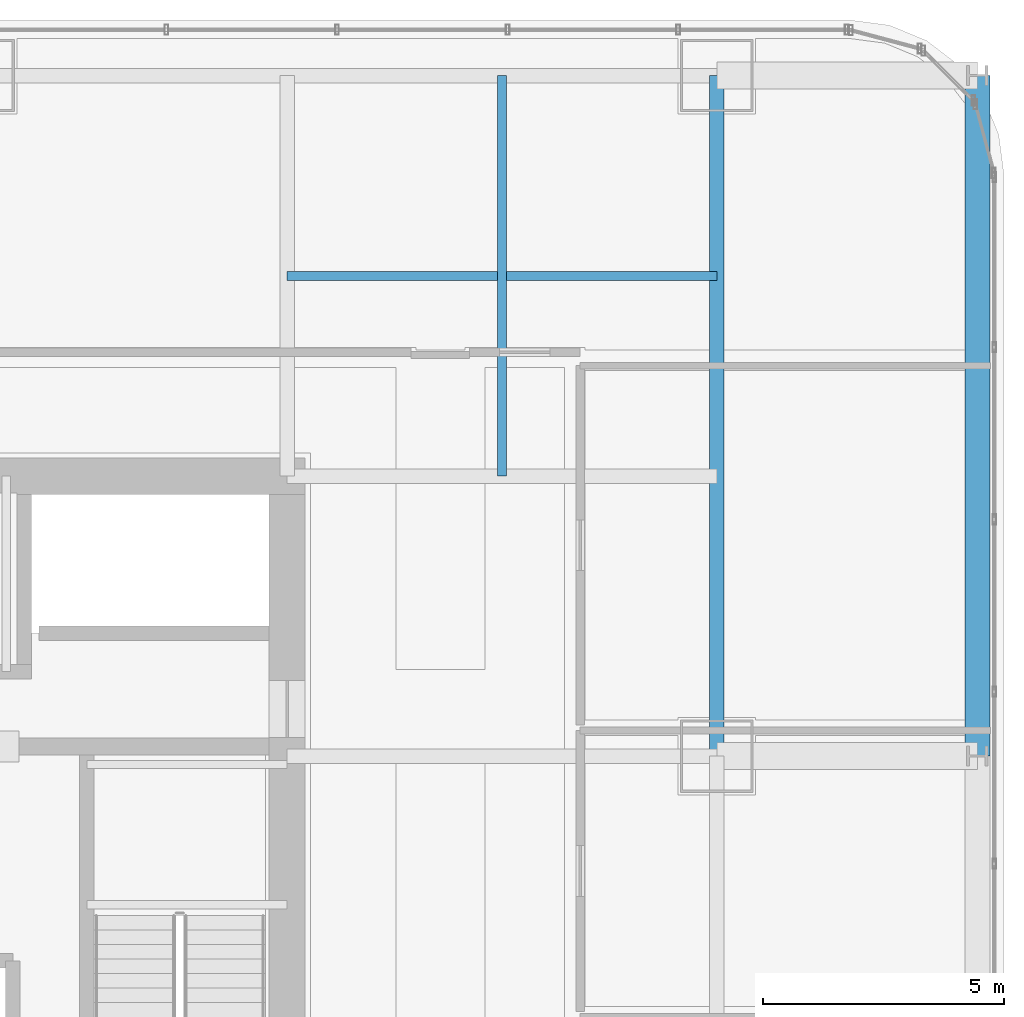
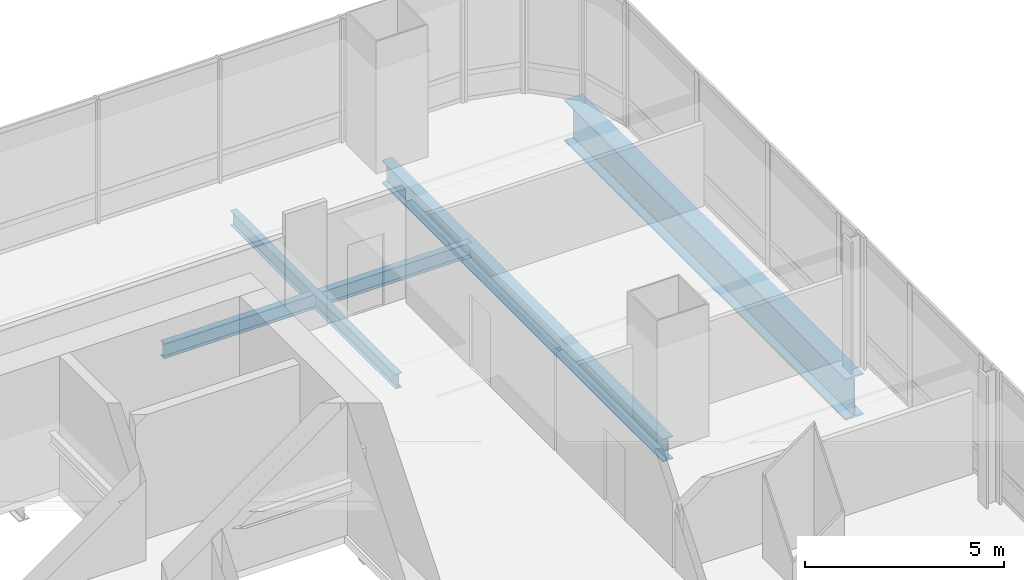
# One storey, part 23 of 34: 4 beams.
"""IFC4 building model written with IfcOpenShell, lengths in metres."""

from ifc_helpers import new_model, si_unit, direction, frame, origin, origin_2d, place, context, subcontext, project, spatial, i_section, extrude, material, material_profile, profile_set, type_object, element, save


model = new_model("IFC4")

# Units and contexts
model_context = context("Model", 3, precision=1e-05, world=origin(), true_north=direction((0.0, 1.0)))
body_context = subcontext(model_context, "Body", "Model", "MODEL_VIEW")
ifc_project = project(units=[si_unit("LENGTHUNIT", "METRE"), si_unit("AREAUNIT", "SQUARE_METRE"), si_unit("VOLUMEUNIT", "CUBIC_METRE"), si_unit("PLANEANGLEUNIT", "RADIAN"), si_unit("MASSUNIT", "GRAM", prefix="KILO")], contexts=[model_context])

# Site, building, storey
site_placement = place(None, origin())
site = spatial("IfcSite", under=ifc_project, at=site_placement, CompositionType="ELEMENT")
building_placement = place(site_placement, origin())
building = spatial("IfcBuilding", under=site, at=building_placement, Name="Punatoya Terracotta Tower", CompositionType="ELEMENT")
storey_placement = place(building_placement, frame((0.0, 0.0, 84.89990234375)))
storey = spatial("IfcBuildingStorey", under=building, at=storey_placement, Name="L19", CompositionType="ELEMENT", Elevation=84.89990234375)

# Beams
ifc_material_1 = material(Name="Steel S355", Category="steel")
ifc_material_profile_1 = material_profile(ifc_material_1, i_section(OverallWidth=0.300048828125, OverallDepth=0.699951171875, WebThickness=0.01708984375, FlangeThickness=0.031982421875, FilletRadius=0.01806640625, at=origin_2d()))
ifc_profile_set_1 = profile_set([ifc_material_profile_1], Name="Steel S355")
beam_type_1 = type_object("IfcBeamType", Name="BM-PRI-700", PredefinedType="BEAM", material=ifc_profile_set_1)
beam_1_placement = place(storey_placement, frame((19.10009765625, 3.39990234375, -0.58984375), z_axis=(0.0, 1.0, 0.0), x_axis=(-1.0, 0.0, 0.0)))
element("IfcBeam", 1, at=beam_1_placement, inside=storey, type_object=beam_type_1, Name="BM-L19-RG-E3", PredefinedType="BEAM", context=body_context, shape_type="SweptSolid", body=[
    extrude(i_section(OverallWidth=0.300048828125, OverallDepth=0.699951171875, WebThickness=0.01708984375, FlangeThickness=0.031982421875, FilletRadius=0.01806640625, at=origin_2d()), origin(), (0.0, 0.0, 1.0), 14.10009765625),
])
ifc_material_profile_2 = material_profile(ifc_material_1, i_section(OverallWidth=0.18994140625, OverallDepth=0.449951171875, WebThickness=0.009521484375, FlangeThickness=0.0146484375, FilletRadius=0.01806640625, at=origin_2d()))
ifc_profile_set_2 = profile_set([ifc_material_profile_2], Name="Steel S355")
beam_type_2 = type_object("IfcBeamType", Name="BM-SEC-450", PredefinedType="JOIST", material=ifc_profile_set_2)
beam_2_placement = place(storey_placement, frame((10.199951171875, 13.35009765625, -0.46484375), z_axis=(1.0, 0.0, 0.0), x_axis=(0.0, 1.0, 0.0)))
element("IfcBeam", 2, at=beam_2_placement, inside=storey, type_object=beam_type_2, Name="BM-L19-SJN-2", PredefinedType="JOIST", context=body_context, shape_type="SweptSolid", body=[
    extrude(i_section(OverallWidth=0.18994140625, OverallDepth=0.449951171875, WebThickness=0.009521484375, FlangeThickness=0.0146484375, FilletRadius=0.01806640625, at=origin_2d()), origin(), (0.0, 0.0, 1.0), 8.900146484375),
])
beam_3_placement = place(storey_placement, frame((14.64990234375, 9.199951171875, -0.46484375), z_axis=(0.0, 1.0, 0.0), x_axis=(-1.0, 0.0, 0.0)))
element("IfcBeam", 3, at=beam_3_placement, inside=storey, type_object=beam_type_2, Name="BM-L19-SJE-2", PredefinedType="JOIST", context=body_context, shape_type="SweptSolid", body=[
    extrude(i_section(OverallWidth=0.18994140625, OverallDepth=0.449951171875, WebThickness=0.009521484375, FlangeThickness=0.0146484375, FilletRadius=0.01806640625, at=origin_2d()), origin(), (0.0, 0.0, 1.0), 8.300048828125),
])
ifc_material_2 = material(Name="Steel S460", Category="steel")
ifc_material_profile_3 = material_profile(ifc_material_2, i_section(OverallWidth=0.52001953125, OverallDepth=1.280029296875, WebThickness=0.031982421875, FlangeThickness=0.050048828125, FilletRadius=0.01806640625, at=origin_2d()))
ifc_profile_set_3 = profile_set([ifc_material_profile_3], Name="Steel S460")
beam_type_3 = type_object("IfcBeamType", Name="BM-TG-NCK", PredefinedType="BEAM", material=ifc_profile_set_3)
beam_4_placement = place(storey_placement, frame((24.5, 3.39990234375, -0.8798828125), z_axis=(0.0, 1.0, 0.0), x_axis=(-1.0, 0.0, 0.0)))
element("IfcBeam", 4, at=beam_4_placement, inside=storey, type_object=beam_type_3, Name="BM-L19-PER-E3", PredefinedType="BEAM", context=body_context, shape_type="SweptSolid", body=[
    extrude(i_section(OverallWidth=0.52001953125, OverallDepth=1.280029296875, WebThickness=0.031982421875, FlangeThickness=0.050048828125, FilletRadius=0.01806640625, at=origin_2d()), origin(), (0.0, 0.0, 1.0), 14.10009765625),
])

save(model, "model.ifc")
